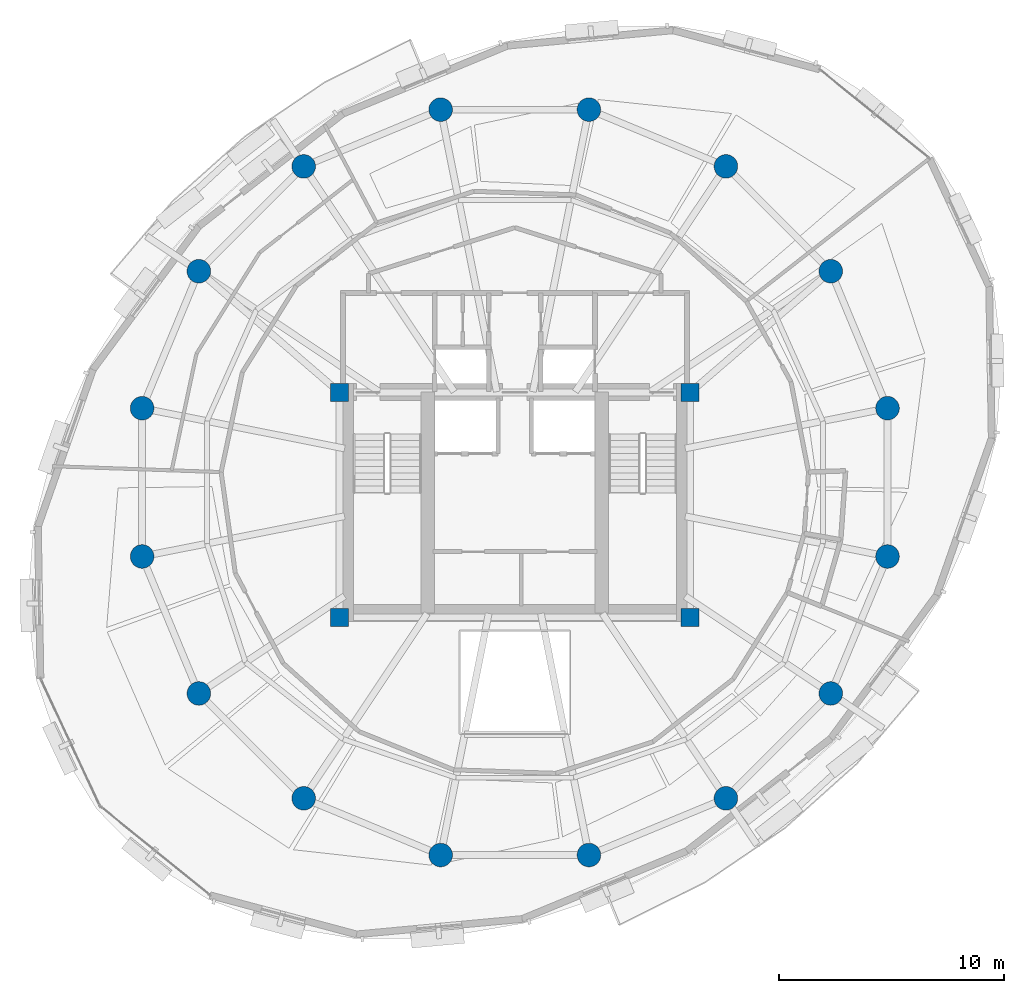
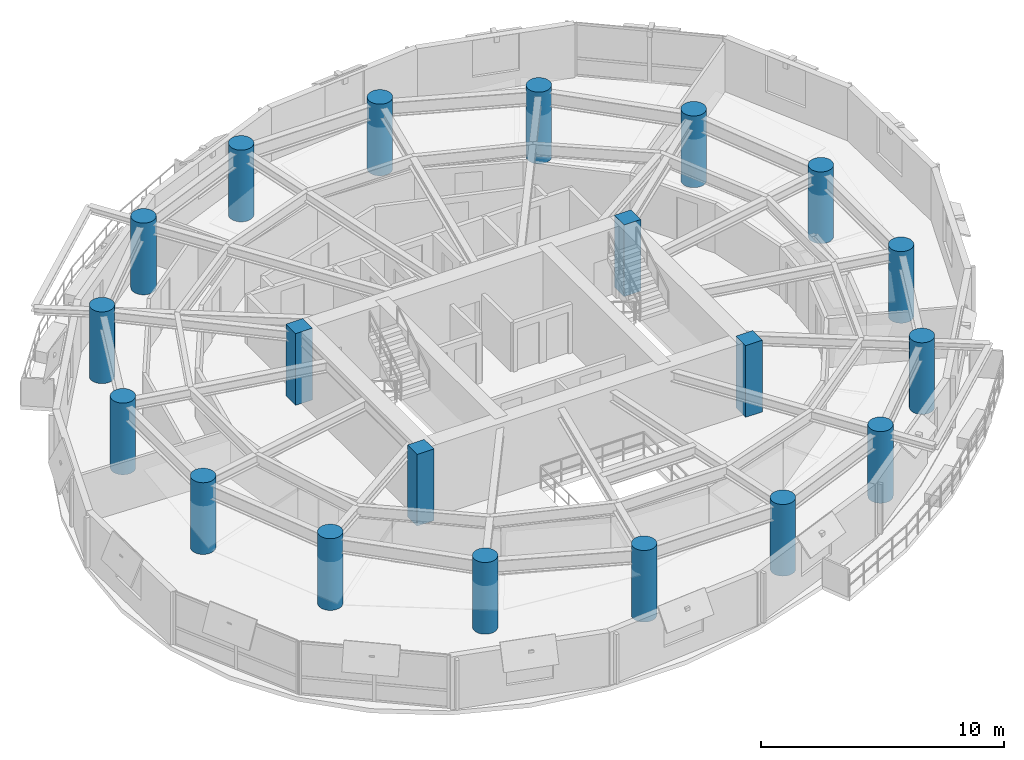
# One storey, part 1 of 12: 20 columns.
"""IFC4 building model written with IfcOpenShell, lengths in metres."""

from ifc_helpers import new_model, si_unit, direction, frame, origin, origin_2d, place, context, subcontext, project, spatial, rectangle, circle, extrude, material, material_profile, profile_set, type_object, element, save


model = new_model("IFC4")

# Units and contexts
model_context = context("Model", 3, precision=1e-05, world=origin(), true_north=direction((0.0, 1.0)))
body_context = subcontext(model_context, "Body", "Model", "MODEL_VIEW")
ifc_project = project(units=[si_unit("LENGTHUNIT", "METRE"), si_unit("AREAUNIT", "SQUARE_METRE"), si_unit("VOLUMEUNIT", "CUBIC_METRE"), si_unit("PLANEANGLEUNIT", "RADIAN"), si_unit("MASSUNIT", "GRAM", prefix="KILO"), si_unit("THERMODYNAMICTEMPERATUREUNIT", "KELVIN"), si_unit("POWERUNIT", "WATT")], contexts=[model_context])

# Site, building, storey
site_placement = place(None, origin())
site = spatial("IfcSite", under=ifc_project, at=site_placement, CompositionType="ELEMENT")
building_placement = place(site_placement, origin())
building = spatial("IfcBuilding", under=site, at=building_placement, Name="Ocrelia Relay Tower", CompositionType="ELEMENT")
storey_placement = place(building_placement, frame((0.0, 0.0, 191.60009765625)))
storey = spatial("IfcBuildingStorey", under=building, at=storey_placement, Name="L46", CompositionType="ELEMENT", Elevation=191.60009765625)

# Columns
ifc_material = material(Name="Concrete C60/75", Category="concrete")
ifc_material_profile_1 = material_profile(ifc_material, circle(Radius=0.52490234375, at=origin_2d()), Name="RC-CIR-1050")
ifc_profile_set_1 = profile_set([ifc_material_profile_1], Name="Concrete C60/75")
column_type_1 = type_object("IfcColumnType", Name="COL-CT-1050", PredefinedType="COLUMN", material=ifc_profile_set_1)
for number, where, z_axis, x_axis, name in (
    (1, (50.5751953125, 29.297119140625, 0.0), (0.0, 0.0, 1.0), (1.0, 0.0, 0.0), "L46 Perimeter Ring Column C01"),
    (2, (48.0517578125, 35.38916015625, 0.0), (0.0, 0.0, 1.0), (1.0, 0.0, 0.0), "L46 Perimeter Ring Column C02"),
    (3, (43.38916015625, 40.0517578125, 0.0), (0.0, 0.0, 1.0), (1.0, 0.0, 0.0), "L46 Perimeter Ring Column C03"),
    (4, (37.297119140625, 42.5751953125, 0.0), (0.0, 0.0, 1.0), (1.0, 0.0, 0.0), "L46 Perimeter Ring Column C04"),
    (5, (30.702880859375, 42.5751953125, 0.0), (0.0, 0.0, 1.0), (1.0, 0.0, 0.0), "L46 Perimeter Ring Column C05"),
    (6, (24.61083984375, 40.0517578125, 0.0), (0.0, 0.0, 1.0), (1.0, 0.0, 0.0), "L46 Perimeter Ring Column C06"),
    (7, (19.9482421875, 35.38916015625, 0.0), (0.0, 0.0, 1.0), (1.0, 0.0, 0.0), "L46 Perimeter Ring Column C07"),
    (8, (17.4248046875, 29.297119140625, 0.0), (0.0, 0.0, 1.0), (1.0, 0.0, 0.0), "L46 Perimeter Ring Column C08"),
    (9, (17.4248046875, 22.702880859375, 0.0), (0.0, 0.0, 1.0), (1.0, 0.0, 0.0), "L46 Perimeter Ring Column C09"),
    (10, (19.9482421875, 16.61083984375, 0.0), (0.0, 0.0, 1.0), (1.0, 0.0, 0.0), "L46 Perimeter Ring Column C10"),
    (11, (24.61083984375, 11.9482421875, 0.0), (0.0, 0.0, 1.0), (1.0, 0.0, 0.0), "L46 Perimeter Ring Column C11"),
    (12, (30.702880859375, 9.4248046875, 0.0), (0.0, 0.0, 1.0), (1.0, 0.0, 0.0), "L46 Perimeter Ring Column C12"),
    (13, (37.297119140625, 9.4248046875, 0.0), (0.0, 0.0, 1.0), (1.0, 0.0, 0.0), "L46 Perimeter Ring Column C13"),
    (14, (43.38916015625, 11.9482421875, 0.0), (0.0, 0.0, 1.0), (1.0, 0.0, 0.0), "L46 Perimeter Ring Column C14"),
    (15, (48.0517578125, 16.61083984375, 0.0), (0.0, 0.0, 1.0), (1.0, 0.0, 0.0), "L46 Perimeter Ring Column C15"),
    (16, (50.5751953125, 22.702880859375, 0.0), (0.0, 0.0, 1.0), (1.0, 0.0, 0.0), "L46 Perimeter Ring Column C16"),
):
    element("IfcColumn", number, at=place(storey_placement, frame(where, z_axis=z_axis, x_axis=x_axis)), inside=storey, type_object=column_type_1, Name=name, PredefinedType="COLUMN", context=body_context, shape_type="SweptSolid", body=[
        extrude(circle(Radius=0.52490234375, at=origin_2d()), origin(), (0.0, 0.0, 1.0), 3.599853515625),
    ])
ifc_material_profile_2 = material_profile(ifc_material, rectangle(XDim=0.800048828125, YDim=0.800048828125, at=origin_2d()), Name="RC-COL-800x800")
ifc_profile_set_2 = profile_set([ifc_material_profile_2], Name="Concrete C60/75")
column_type_2 = type_object("IfcColumnType", Name="COL-PILASTER-800", PredefinedType="PILASTER", material=ifc_profile_set_2)
for number, where, z_axis, x_axis, name in (
    (17, (26.199951171875, 20.0, 0.0), (0.0, 0.0, 1.0), (1.0, 0.0, 0.0), "L46 Core Corner Pilaster SW"),
    (18, (41.800048828125, 20.0, 0.0), (0.0, 0.0, 1.0), (1.0, 0.0, 0.0), "L46 Core Corner Pilaster SE"),
    (19, (26.199951171875, 30.0, 0.0), (0.0, 0.0, 1.0), (1.0, 0.0, 0.0), "L46 Core Corner Pilaster NW"),
    (20, (41.800048828125, 30.0, 0.0), (0.0, 0.0, 1.0), (1.0, 0.0, 0.0), "L46 Core Corner Pilaster NE"),
):
    element("IfcColumn", number, at=place(storey_placement, frame(where, z_axis=z_axis, x_axis=x_axis)), inside=storey, type_object=column_type_2, Name=name, PredefinedType="PILASTER", context=body_context, shape_type="SweptSolid", body=[
        extrude(rectangle(XDim=0.800048828125, YDim=0.800048828125, at=origin_2d()), origin(), (0.0, 0.0, 1.0), 3.599853515625),
    ])

save(model, "model.ifc")
